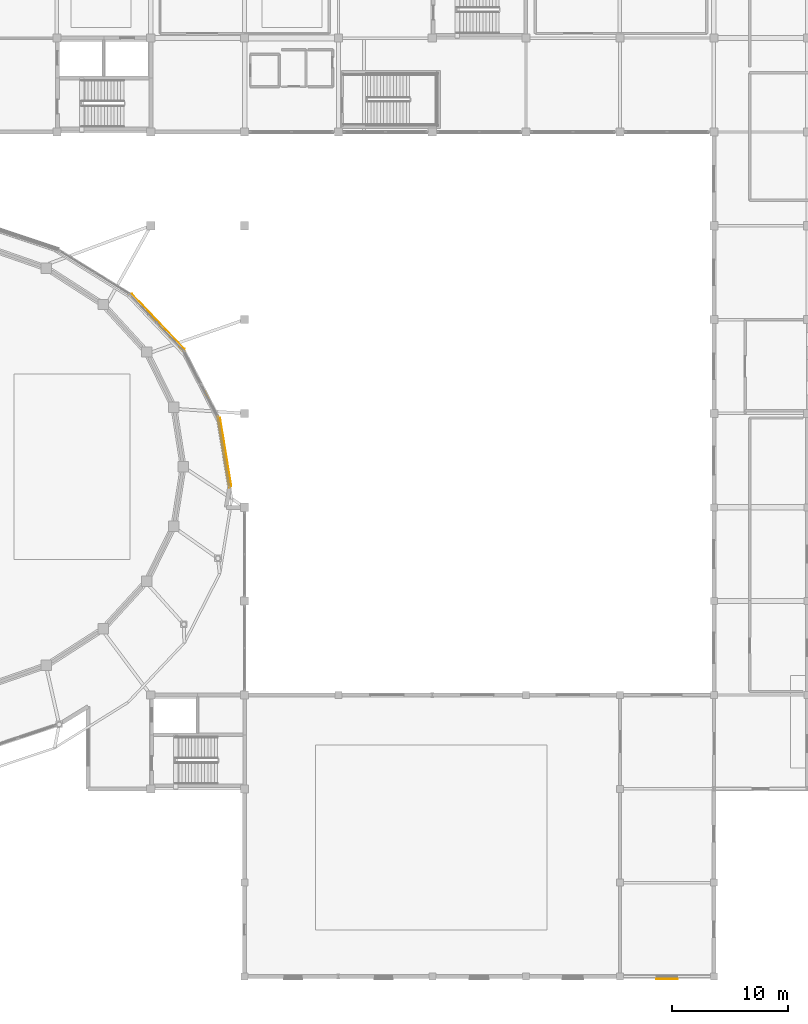
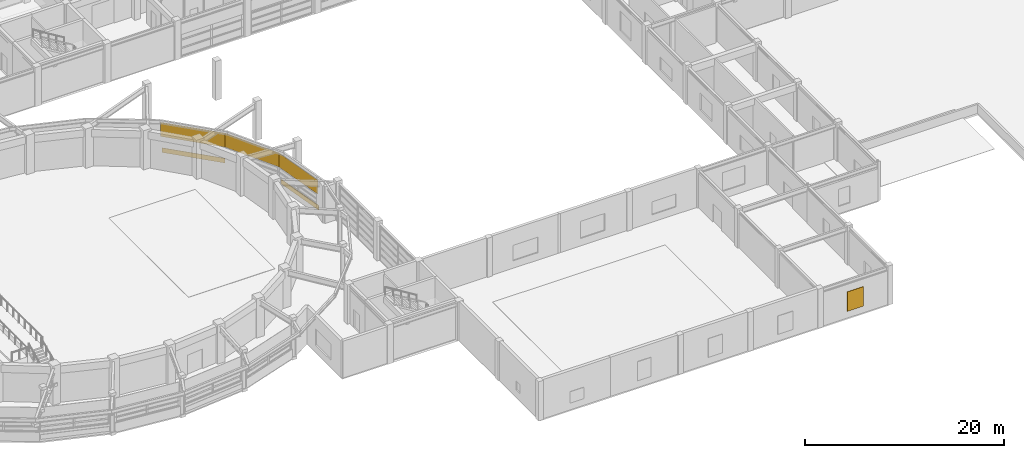
# One storey, part 48 of 56: 5 coverings, 1 shading device.
"""IFC4 building model written with IfcOpenShell, lengths in metres."""

from ifc_helpers import new_model, si_unit, direction, frame, origin, origin_2d, place, context, subcontext, project, spatial, rectangle, extrude, material, layer, layer_set, type_object, element, save


model = new_model("IFC4")

# Units and contexts
model_context = context("Model", 3, precision=1e-05, world=origin(), true_north=direction((0.0, 1.0)))
body_context = subcontext(model_context, "Body", "Model", "MODEL_VIEW")
ifc_project = project(units=[si_unit("LENGTHUNIT", "METRE"), si_unit("AREAUNIT", "SQUARE_METRE"), si_unit("VOLUMEUNIT", "CUBIC_METRE"), si_unit("PLANEANGLEUNIT", "RADIAN"), si_unit("MASSUNIT", "GRAM", prefix="KILO")], contexts=[model_context])

# Site, building, storey
site_placement = place(None, origin())
site = spatial("IfcSite", under=ifc_project, at=site_placement, CompositionType="ELEMENT")
building_placement = place(site_placement, origin())
building = spatial("IfcBuilding", under=site, at=building_placement, Name="Parian Resonance Hall", CompositionType="ELEMENT")
storey_placement = place(building_placement, frame((0.0, 0.0, 5.39990234375)))
storey = spatial("IfcBuildingStorey", under=building, at=storey_placement, Name="L01", CompositionType="ELEMENT", Elevation=5.39990234375)

# Coverings
ifc_material_1 = material(Name="Polychrome trencadis ceramic mosaic cladding")
ifc_layer_1 = layer(ifc_material_1, 0.030029296875)
ifc_layer_set_1 = layer_set([ifc_layer_1], Name="Polychrome trencadis ceramic mosaic cladding")
covering_type = type_object("IfcCoveringType", Name="COV-MOSAIC-CLAD", PredefinedType="CLADDING", material=ifc_layer_set_1)
covering_1_placement = place(storey_placement, frame((71.270751953125, 45.2822265625, 0.28759765625), z_axis=(0.0, 0.0, 1.0), x_axis=(0.161850117573, -0.986815352253, 0.0)))
element("IfcCovering", 1, at=covering_1_placement, inside=storey, type_object=covering_type, Name="Polychrome ceramic mosaic frieze L01-001", PredefinedType="CLADDING", context=body_context, shape_type="SweptSolid", body=[
    extrude(rectangle(XDim=5.98974609375, YDim=0.030029296875, at=origin_2d()), origin(), (0.0, 0.0, 1.0), 0.574951171875),
])
covering_2_placement = place(storey_placement, frame((71.09912109375, 45.254150390625, 2.35498046875), z_axis=(0.0, 0.0, 1.0), x_axis=(0.161850117573, -0.986815352253, 0.0)))
element("IfcCovering", 2, at=covering_2_placement, inside=storey, type_object=covering_type, Name="Elliptical R1 upper mosaic frieze cladding 01", PredefinedType="CLADDING", context=body_context, shape_type="SweptSolid", body=[
    extrude(rectangle(XDim=6.189697265625, YDim=0.030029296875, at=origin_2d()), origin(), (0.0, 0.0, 1.0), 1.72509765625),
])
covering_3_placement = place(storey_placement, frame((69.129638671875, 51.154052734375, 2.35498046875), z_axis=(0.0, 0.0, 1.0), x_axis=(0.458562700233, -0.888662056102, 0.0)))
element("IfcCovering", 3, at=covering_3_placement, inside=storey, type_object=covering_type, Name="Elliptical R1 upper mosaic frieze cladding 02", PredefinedType="CLADDING", context=body_context, shape_type="SweptSolid", body=[
    extrude(rectangle(XDim=6.405029296875, YDim=0.030029296875, at=origin_2d()), origin(), (0.0, 0.0, 1.0), 1.72509765625),
])
covering_4_placement = place(storey_placement, frame((65.45068359375, 56.564208984375, 0.28759765625), z_axis=(0.0, 0.0, 1.0), x_axis=(0.690992181078, -0.722862231472, 0.0)))
element("IfcCovering", 4, at=covering_4_placement, inside=storey, type_object=covering_type, Name="Polychrome ceramic mosaic frieze L01-004", PredefinedType="CLADDING", context=body_context, shape_type="SweptSolid", body=[
    extrude(rectangle(XDim=6.5615234375, YDim=0.030029296875, at=origin_2d()), origin(), (0.0, 0.0, 1.0), 0.574951171875),
])
covering_5_placement = place(storey_placement, frame((65.324951171875, 56.44384765625, 2.35498046875), z_axis=(0.0, 0.0, 1.0), x_axis=(0.690992181078, -0.722862231472, 0.0)))
element("IfcCovering", 5, at=covering_5_placement, inside=storey, type_object=covering_type, Name="Elliptical R1 upper mosaic frieze cladding 03", PredefinedType="CLADDING", context=body_context, shape_type="SweptSolid", body=[
    extrude(rectangle(XDim=6.76171875, YDim=0.030029296875, at=origin_2d()), origin(), (0.0, 0.0, 1.0), 1.72509765625),
])

# Shading device
ifc_material_2 = material(Name="Patinated bronze persiana louver")
ifc_layer_2 = layer(ifc_material_2, 0.06005859375)
ifc_layer_set_2 = layer_set([ifc_layer_2], Name="Patinated bronze persiana louver")
shading_device_type = type_object("IfcShadingDeviceType", Name="SHD-PERSIANA-SHT", PredefinedType="SHUTTER", material=ifc_layer_set_2)
shading_device_placement = place(storey_placement, frame((109.35009765625, -0.2080078125, 0.860107421875), z_axis=(0.0, 0.0, 1.0), x_axis=(-1.0, 0.0, 0.0)))
element("IfcShadingDevice", 6, at=shading_device_placement, inside=storey, type_object=shading_device_type, Name="Bronze operable persiana shutter L01-033", PredefinedType="SHUTTER", context=body_context, shape_type="SweptSolid", body=[
    extrude(rectangle(XDim=1.8701171875, YDim=0.06005859375, at=origin_2d()), origin(), (0.0, 0.0, 1.0), 2.3798828125),
])

save(model, "model.ifc")
